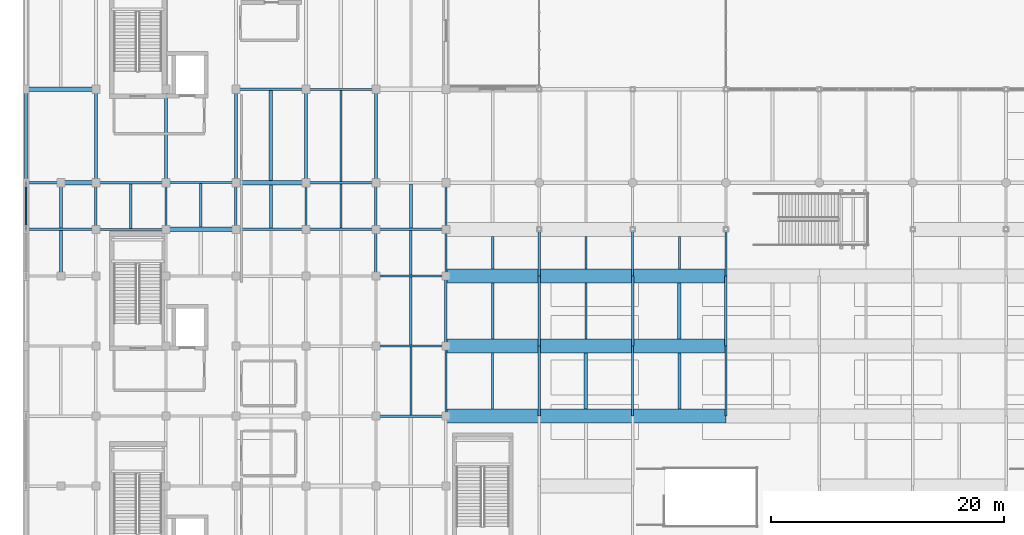
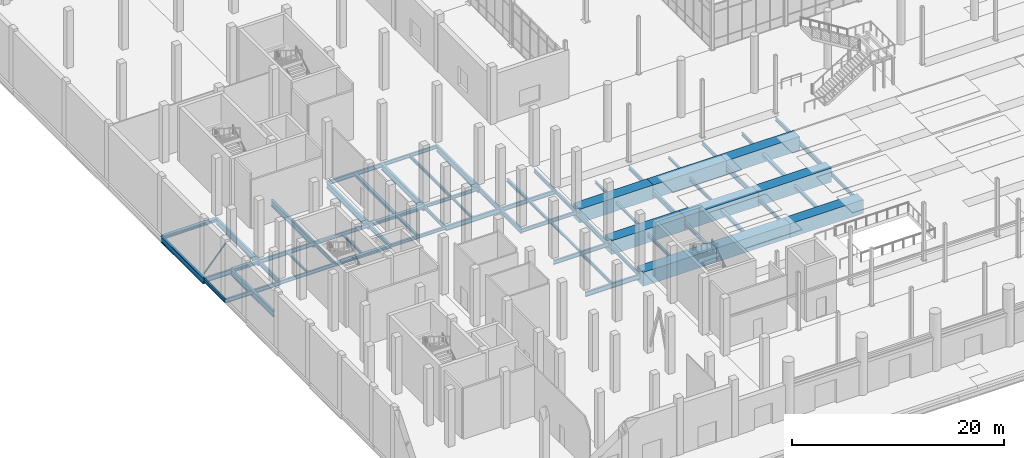
# One storey, part 23 of 140: 73 beams, 1 member.
"""IFC4 building model written with IfcOpenShell, lengths in metres."""

import ifcopenshell
import ifcopenshell.guid

model = None  # the IFC model being written
_history = None  # IfcOwnerHistory: only IFC2X3 demands one
_inside = {}  # id of a spatial element -> (the spatial element, [elements in it])
_under = {}  # id of a project, library or spatial element -> (it, [spatial elements below it])
_declared = {}  # id of a project -> (the project, [libraries it declares])
_typed = {}  # id of a type object -> (the type object, [elements of that type])
_made_of = {}  # id of a material, layer set ... -> (it, [elements and type objects made of it])


def new_model(schema):
    """Start an empty IFC model of exactly this schema.

    Asked for "IFC4X3", IfcOpenShell would pick the latest addendum, in which some entities
    have other attributes; the version numbers below select the first issue.
    IFC2X3 requires an IfcOwnerHistory on every rooted entity: one is made here for all.
    """
    global model, _history
    if schema == "IFC4X3":
        model = ifcopenshell.file(schema_version=(4, 3, 0, 0))
    else:
        model = ifcopenshell.file(schema=schema)
    _inside.clear()
    _under.clear()
    _declared.clear()
    _typed.clear()
    _made_of.clear()
    _history = None
    if model.schema == "IFC2X3":
        org = make("IfcOrganization", Name="unknown")
        user = make(
            "IfcPersonAndOrganization",
            ThePerson=make("IfcPerson", FamilyName="unknown"),
            TheOrganization=org,
        )
        app = make(
            "IfcApplication",
            ApplicationDeveloper=org,
            Version="unknown",
            ApplicationFullName="unknown",
            ApplicationIdentifier="unknown",
        )
        _history = make(
            "IfcOwnerHistory",
            OwningUser=user,
            OwningApplication=app,
            ChangeAction="ADDED",
            CreationDate=0,
        )
    return model


def make(cls, **values):
    """One entity of the class cls with the attributes given. An attribute that is None is left unset."""
    return model.create_entity(
        cls, **{name: value for name, value in values.items() if value is not None}
    )


def rooted(cls, **values):
    """An entity with a GlobalId (a new one), such as an element, a storey or a relation."""
    return make(cls, GlobalId=ifcopenshell.guid.new(), OwnerHistory=_history, **values)


def si_unit(unit_type, name, prefix=None):
    """IfcSIUnit, for example si_unit("LENGTHUNIT", "METRE", prefix="MILLI")."""
    return make("IfcSIUnit", UnitType=unit_type, Prefix=prefix, Name=name)


def assignment(units):
    """IfcUnitAssignment: the units of a project."""
    return None if units is None else make("IfcUnitAssignment", Units=units)


def point(xyz):
    """IfcCartesianPoint."""
    return None if xyz is None else make("IfcCartesianPoint", Coordinates=xyz)


def direction(xyz):
    """IfcDirection."""
    return None if xyz is None else make("IfcDirection", DirectionRatios=xyz)


def frame(location, z_axis=None, x_axis=None):
    """IfcAxis2Placement3D, a coordinate frame: its origin and axes. An axis left out is left unset."""
    return make(
        "IfcAxis2Placement3D",
        Location=point(location),
        Axis=direction(z_axis),
        RefDirection=direction(x_axis),
    )


def frame_2d(location, x_axis=None):
    """IfcAxis2Placement2D, a coordinate frame in the plane: its origin and x axis."""
    return make(
        "IfcAxis2Placement2D", Location=point(location), RefDirection=direction(x_axis)
    )


def origin():
    """The frame at (0, 0, 0) with its axes left unset."""
    return frame((0.0, 0.0, 0.0))


def origin_2d():
    """The frame at (0, 0) in the plane with its x axis left unset."""
    return frame_2d((0.0, 0.0))


def place(relative_to, where):
    """IfcLocalPlacement: puts the frame where relative to a parent placement (None: the world)."""
    return make(
        "IfcLocalPlacement", PlacementRelTo=relative_to, RelativePlacement=where
    )


def context(
    kind, dimensions, precision=None, world=None, true_north=None, identifier=None
):
    """IfcGeometricRepresentationContext, for example the 3D "Model" context."""
    return make(
        "IfcGeometricRepresentationContext",
        ContextIdentifier=identifier,
        ContextType=kind,
        CoordinateSpaceDimension=dimensions,
        Precision=precision,
        WorldCoordinateSystem=world,
        TrueNorth=true_north,
    )


def subcontext(parent, identifier, kind, view, scale=None):
    """IfcGeometricRepresentationSubContext, for example "Body" below "Model"."""
    return make(
        "IfcGeometricRepresentationSubContext",
        ContextIdentifier=identifier,
        ContextType=kind,
        ParentContext=parent,
        TargetScale=scale,
        TargetView=view,
    )


def project(units=None, contexts=None):
    """IfcProject with its units and contexts."""
    return rooted(
        "IfcProject",
        Name="project",
        RepresentationContexts=contexts,
        UnitsInContext=assignment(units),
    )


def spatial(cls, under=None, at=None, **own):
    """A site, building, storey or space (cls), placed at a placement, below another one or the project."""
    s = rooted(cls, ObjectPlacement=at, **own)
    if under is not None:
        _under.setdefault(under.id(), (under, []))[1].append(s)
    return s


def profile(cls, at=None, kind="AREA", **sizes):
    """A parametric profile (cls). Its sizes go by their IFC names, for example OverallWidth=200.0."""
    return make(cls, ProfileType=kind, Position=at, **sizes)


def rectangle(**sizes):
    """IfcRectangleProfileDef."""
    return profile("IfcRectangleProfileDef", **sizes)


def hollow_circle(**sizes):
    """IfcCircleHollowProfileDef."""
    return profile("IfcCircleHollowProfileDef", **sizes)


def i_section(**sizes):
    """IfcIShapeProfileDef."""
    return profile("IfcIShapeProfileDef", **sizes)


def extrude(swept, where, along, depth):
    """IfcExtrudedAreaSolid: the profile swept, set in the frame where, extruded along a direction by depth."""
    return make(
        "IfcExtrudedAreaSolid",
        SweptArea=swept,
        Position=where,
        ExtrudedDirection=direction(along),
        Depth=depth,
    )


def shape(context_of_items, identifier, shape_type, items):
    """IfcShapeRepresentation: the items that make up one representation, for example the "Body"."""
    return make(
        "IfcShapeRepresentation",
        ContextOfItems=context_of_items,
        RepresentationIdentifier=identifier,
        RepresentationType=shape_type,
        Items=items,
    )


def material(Name=None, Category=None):
    """IfcMaterial."""
    return make("IfcMaterial", Name=Name, Category=Category)


def material_profile(
    of_material, cross_section, Name=None, Category=None, Priority=None
):
    """IfcMaterialProfile: a cross section and its material."""
    return make(
        "IfcMaterialProfile",
        Name=Name,
        Material=of_material,
        Profile=cross_section,
        Priority=Priority,
        Category=Category,
    )


def profile_set(profiles, Name=None, composite=None):
    """IfcMaterialProfileSet."""
    return make(
        "IfcMaterialProfileSet",
        Name=Name,
        MaterialProfiles=profiles,
        CompositeProfile=composite,
    )


def made_of(thing, what):
    """Note that an element or type object is made of a material, layer set ...; save() writes the relation."""
    if what is not None:
        _made_of.setdefault(what.id(), (what, []))[1].append(thing)
    return thing


def type_object(cls, material=None, **own):
    """A type object (cls), such as IfcWallType, which elements share."""
    return made_of(rooted(cls, **own), material)


def element(
    cls,
    number,
    at=None,
    inside=None,
    cuts=None,
    type_object=None,
    material=None,
    context=None,
    identifier="Body",
    shape_type=None,
    held_by="IfcProductDefinitionShape",
    body=None,
    shapes=None,
    **own,
):
    """One element of the class cls, such as IfcWall. Its Tag is "e" and its number.

    at: its placement. inside: the storey or other place that contains it. cuts: it is an
    opening in that element (IfcRelVoidsElement). A single representation is given by context,
    identifier, shape_type and body (its items); several are given by shapes. held_by: the class
    of the entity that holds the representations. save() writes the other relations.
    """
    e = rooted(cls, Tag="e%d" % number, ObjectPlacement=at, **own)
    if body is not None:
        shapes = [shape(context, identifier, shape_type, body)]
    if shapes is not None:
        e.Representation = make(held_by, Representations=shapes)
    if inside is not None:
        _inside.setdefault(inside.id(), (inside, []))[1].append(e)
    if cuts is not None:
        rooted(
            "IfcRelVoidsElement", RelatingBuildingElement=cuts, RelatedOpeningElement=e
        )
    if type_object is not None:
        _typed.setdefault(type_object.id(), (type_object, []))[1].append(e)
    return made_of(e, material)


def aggregate(whole, parts):
    """IfcRelAggregates: a whole, such as a stair, and the parts it consists of."""
    return rooted("IfcRelAggregates", RelatingObject=whole, RelatedObjects=parts)


def save(model, path):
    """Write the relations noted so far, then the file.

    IfcRelAggregates (storeys below a building ...), IfcRelContainedInSpatialStructure (elements
    in a storey), IfcRelDefinesByType, IfcRelAssociatesMaterial and IfcRelDeclares: one each for
    every whole, place, type object, material and project.
    """
    for whole, parts in _under.values():
        aggregate(whole, parts)
    for where, things in _inside.values():
        rooted(
            "IfcRelContainedInSpatialStructure",
            RelatedElements=things,
            RelatingStructure=where,
        )
    for kind, things in _typed.values():
        rooted("IfcRelDefinesByType", RelatedObjects=things, RelatingType=kind)
    for what, things in _made_of.values():
        rooted("IfcRelAssociatesMaterial", RelatedObjects=things, RelatingMaterial=what)
    for by, libraries in _declared.values():
        rooted("IfcRelDeclares", RelatingContext=by, RelatedDefinitions=libraries)
    model.write(path)


model = new_model("IFC4")

# Units and contexts
model_context = context("Model", 3, precision=1e-05, world=origin(), true_north=direction((0.0, 1.0)))
body_context = subcontext(model_context, "Body", "Model", "MODEL_VIEW")
ifc_project = project(units=[si_unit("LENGTHUNIT", "METRE"), si_unit("AREAUNIT", "SQUARE_METRE"), si_unit("VOLUMEUNIT", "CUBIC_METRE"), si_unit("PLANEANGLEUNIT", "RADIAN"), si_unit("MASSUNIT", "GRAM", prefix="KILO")], contexts=[model_context])

# Site, building, storey
site_placement = place(None, origin())
site = spatial("IfcSite", under=ifc_project, at=site_placement, CompositionType="ELEMENT")
building_placement = place(site_placement, origin())
building = spatial("IfcBuilding", under=site, at=building_placement, Name="Verrall Gate Interchange", CompositionType="ELEMENT")
storey_placement = place(building_placement, origin())
storey = spatial("IfcBuildingStorey", under=building, at=storey_placement, Name="L01", CompositionType="ELEMENT", Elevation=0.0)

# Beams
ifc_material_1 = material(Name="Structural Steel CSA G40.21 350WT Cat 4", Category="steel")
ifc_material_profile_1 = material_profile(ifc_material_1, i_section(OverallWidth=0.256103515625, OverallDepth=0.693115234375, WebThickness=0.01318359375, FlangeThickness=0.02001953125, FilletRadius=0.01611328125, at=origin_2d()), Name="W690x170")
ifc_profile_set_1 = profile_set([ifc_material_profile_1], Name="Structural Steel CSA G40.21 350WT Cat 4")
beam_type_1 = type_object("IfcBeamType", Name="B-07 Structural Beam W690x170", PredefinedType="BEAM", material=ifc_profile_set_1)
for number, where, z_axis, x_axis, name in (
    (1, (0.0, 48.0, -0.846435546875), (0.0, 1.0, 0.0), (-1.0, 0.0, 0.0), "L01 Girder BM-L01-0990 (B-07)"),
    (2, (3.0, 40.0, -0.846435546875), (0.0, 1.0, 0.0), (-1.0, 0.0, 0.0), "L01 Girder BM-L01-0995 (B-07)"),
    (3, (6.0, 48.0, -0.846435546875), (0.0, 1.0, 0.0), (-1.0, 0.0, 0.0), "L01 Girder BM-L01-1006 (B-07)"),
    (4, (12.0, 48.0, -0.846435546875), (0.0, 1.0, 0.0), (-1.0, 0.0, 0.0), "L01 Girder BM-L01-1021 (B-07)"),
    (5, (18.0, 48.0, -0.846435546875), (0.0, 1.0, 0.0), (-1.0, 0.0, 0.0), "L01 Girder BM-L01-1036 (B-07)"),
    (6, (24.0, 48.0, -0.846435546875), (0.0, 1.0, 0.0), (-1.0, 0.0, 0.0), "L01 Girder BM-L01-1051 (B-07)"),
    (7, (30.0, 48.0, -0.846435546875), (0.0, 1.0, 0.0), (-1.0, 0.0, 0.0), "L01 Girder BM-L01-1066 (B-07)"),
):
    element("IfcBeam", number, at=place(storey_placement, frame(where, z_axis=z_axis, x_axis=x_axis)), inside=storey, type_object=beam_type_1, Name=name, PredefinedType="BEAM", context=body_context, shape_type="SweptSolid", body=[
        extrude(i_section(OverallWidth=0.256103515625, OverallDepth=0.693115234375, WebThickness=0.01318359375, FlangeThickness=0.02001953125, FilletRadius=0.01611328125, at=origin_2d()), origin(), (0.0, 0.0, 1.0), 8.0),
    ])
ifc_material_2 = material(Name="Structural Steel CSA G40.21 350W", Category="steel")
ifc_material_profile_2 = material_profile(ifc_material_2, i_section(OverallWidth=0.2109375, OverallDepth=0.5390625, WebThickness=0.01171875, FlangeThickness=0.018798828125, FilletRadius=0.013916015625, at=origin_2d()), Name="W530x109")
ifc_profile_set_2 = profile_set([ifc_material_profile_2], Name="Structural Steel CSA G40.21 350W")
beam_type_2 = type_object("IfcBeamType", Name="B-10 Structural Beam W530x109", PredefinedType="BEAM", material=ifc_profile_set_2)
for number, where, z_axis, x_axis, name in (
    (8, (30.0, 28.0, -0.76953125), (1.0, 0.0, 0.0), (0.0, 1.0, 0.0), "L01 Girder BM-L01-0830 (B-10)"),
    (9, (24.0, 44.0, -0.76953125), (1.0, 0.0, 0.0), (0.0, 1.0, 0.0), "L01 Girder BM-L01-0893 (B-10)"),
):
    element("IfcBeam", number, at=place(storey_placement, frame(where, z_axis=z_axis, x_axis=x_axis)), inside=storey, type_object=beam_type_2, Name=name, PredefinedType="BEAM", context=body_context, shape_type="SweptSolid", body=[
        extrude(i_section(OverallWidth=0.2109375, OverallDepth=0.5390625, WebThickness=0.01171875, FlangeThickness=0.018798828125, FilletRadius=0.013916015625, at=origin_2d()), origin(), (0.0, 0.0, 1.0), 6.0),
    ])
beam_1_placement = place(storey_placement, frame((0.0, 48.0, -0.76953125), z_axis=(1.0, 0.0, 0.0), x_axis=(0.0, 1.0, 0.0)))
element("IfcBeam", 10, at=beam_1_placement, inside=storey, type_object=beam_type_2, Name="L01 Girder BM-L01-0910 (B-10)", PredefinedType="BEAM", context=body_context, shape_type="SweptSolid", body=[
    extrude(i_section(OverallWidth=0.2109375, OverallDepth=0.5390625, WebThickness=0.01171875, FlangeThickness=0.018798828125, FilletRadius=0.013916015625, at=origin_2d()), origin(), (0.0, 0.0, 1.0), 3.0),
])
for number, where, z_axis, x_axis, name in (
    (11, (6.0, 44.0, -0.76953125), (0.0, 1.0, 0.0), (-1.0, 0.0, 0.0), "L01 Girder BM-L01-1005 (B-10)"),
    (12, (18.0, 44.0, -0.76953125), (0.0, 1.0, 0.0), (-1.0, 0.0, 0.0), "L01 Girder BM-L01-1035 (B-10)"),
    (13, (30.0, 40.0, -0.76953125), (0.0, 1.0, 0.0), (-1.0, 0.0, 0.0), "L01 Girder BM-L01-1064 (B-10)"),
    (14, (30.0, 44.0, -0.76953125), (0.0, 1.0, 0.0), (-1.0, 0.0, 0.0), "L01 Girder BM-L01-1065 (B-10)"),
):
    element("IfcBeam", number, at=place(storey_placement, frame(where, z_axis=z_axis, x_axis=x_axis)), inside=storey, type_object=beam_type_2, Name=name, PredefinedType="BEAM", context=body_context, shape_type="SweptSolid", body=[
        extrude(i_section(OverallWidth=0.2109375, OverallDepth=0.5390625, WebThickness=0.01171875, FlangeThickness=0.018798828125, FilletRadius=0.013916015625, at=origin_2d()), origin(), (0.0, 0.0, 1.0), 4.0),
    ])
for number, where, z_axis, x_axis, name in (
    (15, (36.0, 34.0, -0.76953125), (0.0, 1.0, 0.0), (-1.0, 0.0, 0.0), "L01 Girder BM-L01-1078 (B-10)"),
    (16, (44.0, 34.0, -0.76953125), (0.0, 1.0, 0.0), (-1.0, 0.0, 0.0), "L01 Girder BM-L01-1093 (B-10)"),
    (17, (52.0, 34.0, -0.76953125), (0.0, 1.0, 0.0), (-1.0, 0.0, 0.0), "L01 Girder BM-L01-1104 (B-10)"),
    (18, (60.0, 34.0, -0.76953125), (0.0, 1.0, 0.0), (-1.0, 0.0, 0.0), "L01 Girder BM-L01-1113 (B-10)"),
):
    element("IfcBeam", number, at=place(storey_placement, frame(where, z_axis=z_axis, x_axis=x_axis)), inside=storey, type_object=beam_type_2, Name=name, PredefinedType="BEAM", context=body_context, shape_type="SweptSolid", body=[
        extrude(i_section(OverallWidth=0.2109375, OverallDepth=0.5390625, WebThickness=0.01171875, FlangeThickness=0.018798828125, FilletRadius=0.013916015625, at=origin_2d()), origin(), (0.0, 0.0, 1.0), 6.0),
    ])
ifc_material_3 = material(Name="Structural Steel CSA G40.21 350W", Category="steel")
ifc_material_profile_3 = material_profile(ifc_material_3, i_section(OverallWidth=0.19189453125, OverallDepth=0.462890625, WebThickness=0.010498046875, FlangeThickness=0.017578125, FilletRadius=0.012939453125, at=origin_2d()), Name="W460x89")
ifc_profile_set_3 = profile_set([ifc_material_profile_3], Name="Structural Steel CSA G40.21 350W")
beam_type_3 = type_object("IfcBeamType", Name="B-11 Structural Beam W460x89", PredefinedType="BEAM", material=ifc_profile_set_3)
for number, where, z_axis, x_axis, name in (
    (19, (30.0, 34.0, -0.7314453125), (1.0, 0.0, 0.0), (0.0, 1.0, 0.0), "L01 Girder BM-L01-0850 (B-11)"),
    (20, (0.0, 44.0, -0.7314453125), (1.0, 0.0, 0.0), (0.0, 1.0, 0.0), "L01 Girder BM-L01-0889 (B-11)"),
    (21, (30.0, 44.0, -0.7314453125), (1.0, 0.0, 0.0), (0.0, 1.0, 0.0), "L01 Girder BM-L01-0894 (B-11)"),
    (22, (6.0, 48.0, -0.7314453125), (1.0, 0.0, 0.0), (0.0, 1.0, 0.0), "L01 Girder BM-L01-0912 (B-11)"),
    (23, (18.0, 56.0, -0.7314453125), (1.0, 0.0, 0.0), (0.0, 1.0, 0.0), "L01 Girder BM-L01-0936 (B-11)"),
):
    element("IfcBeam", number, at=place(storey_placement, frame(where, z_axis=z_axis, x_axis=x_axis)), inside=storey, type_object=beam_type_3, Name=name, PredefinedType="BEAM", context=body_context, shape_type="SweptSolid", body=[
        extrude(i_section(OverallWidth=0.19189453125, OverallDepth=0.462890625, WebThickness=0.010498046875, FlangeThickness=0.017578125, FilletRadius=0.012939453125, at=origin_2d()), origin(), (0.0, 0.0, 1.0), 6.0),
    ])
ifc_material_4 = material(Name="Structural Steel CSA G40.21 350W", Category="steel")
ifc_material_profile_4 = material_profile(ifc_material_4, i_section(OverallWidth=0.178955078125, OverallDepth=0.409912109375, WebThickness=0.0087890625, FlangeThickness=0.014404296875, FilletRadius=0.011962890625, at=origin_2d()), Name="W410x67")
ifc_profile_set_4 = profile_set([ifc_material_profile_4], Name="Structural Steel CSA G40.21 350W")
beam_type_4 = type_object("IfcBeamType", Name="B-12 Structural Beam W410x67", PredefinedType="BEAM", material=ifc_profile_set_4)
for number, where, z_axis, x_axis, name in (
    (24, (30.0, 40.0, -0.705078125), (1.0, 0.0, 0.0), (0.0, 1.0, 0.0), "L01 Girder BM-L01-0872 (B-12)"),
    (25, (6.0, 44.0, -0.705078125), (1.0, 0.0, 0.0), (0.0, 1.0, 0.0), "L01 Girder BM-L01-0890 (B-12)"),
    (26, (12.0, 48.0, -0.705078125), (1.0, 0.0, 0.0), (0.0, 1.0, 0.0), "L01 Girder BM-L01-0913 (B-12)"),
    (27, (24.0, 56.0, -0.705078125), (1.0, 0.0, 0.0), (0.0, 1.0, 0.0), "L01 Girder BM-L01-0937 (B-12)"),
):
    element("IfcBeam", number, at=place(storey_placement, frame(where, z_axis=z_axis, x_axis=x_axis)), inside=storey, type_object=beam_type_4, Name=name, PredefinedType="BEAM", context=body_context, shape_type="SweptSolid", body=[
        extrude(i_section(OverallWidth=0.178955078125, OverallDepth=0.409912109375, WebThickness=0.0087890625, FlangeThickness=0.014404296875, FilletRadius=0.011962890625, at=origin_2d()), origin(), (0.0, 0.0, 1.0), 6.0),
    ])
for number, where, z_axis, x_axis, name in (
    (28, (0.0, 44.0, -0.705078125), (0.0, 1.0, 0.0), (-1.0, 0.0, 0.0), "L01 Girder BM-L01-0989 (B-12)"),
    (29, (12.0, 44.0, -0.705078125), (0.0, 1.0, 0.0), (-1.0, 0.0, 0.0), "L01 Girder BM-L01-1020 (B-12)"),
    (30, (24.0, 44.0, -0.705078125), (0.0, 1.0, 0.0), (-1.0, 0.0, 0.0), "L01 Girder BM-L01-1050 (B-12)"),
):
    element("IfcBeam", number, at=place(storey_placement, frame(where, z_axis=z_axis, x_axis=x_axis)), inside=storey, type_object=beam_type_4, Name=name, PredefinedType="BEAM", context=body_context, shape_type="SweptSolid", body=[
        extrude(i_section(OverallWidth=0.178955078125, OverallDepth=0.409912109375, WebThickness=0.0087890625, FlangeThickness=0.014404296875, FilletRadius=0.011962890625, at=origin_2d()), origin(), (0.0, 0.0, 1.0), 4.0),
    ])
beam_2_placement = place(storey_placement, frame((36.0, 28.0, -0.705078125), z_axis=(0.0, 1.0, 0.0), x_axis=(-1.0, 0.0, 0.0)))
element("IfcBeam", 31, at=beam_2_placement, inside=storey, type_object=beam_type_4, Name="L01 Girder BM-L01-1077 (B-12)", PredefinedType="BEAM", context=body_context, shape_type="SweptSolid", body=[
    extrude(i_section(OverallWidth=0.178955078125, OverallDepth=0.409912109375, WebThickness=0.0087890625, FlangeThickness=0.014404296875, FilletRadius=0.011962890625, at=origin_2d()), origin(), (0.0, 0.0, 1.0), 6.0),
])
for number, where, z_axis, x_axis, name in (
    (32, (36.0, 40.0, -0.705078125), (0.0, 1.0, 0.0), (-1.0, 0.0, 0.0), "L01 Girder BM-L01-1079 (B-12)"),
    (33, (36.0, 44.0, -0.705078125), (0.0, 1.0, 0.0), (-1.0, 0.0, 0.0), "L01 Girder BM-L01-1080 (B-12)"),
):
    element("IfcBeam", number, at=place(storey_placement, frame(where, z_axis=z_axis, x_axis=x_axis)), inside=storey, type_object=beam_type_4, Name=name, PredefinedType="BEAM", context=body_context, shape_type="SweptSolid", body=[
        extrude(i_section(OverallWidth=0.178955078125, OverallDepth=0.409912109375, WebThickness=0.0087890625, FlangeThickness=0.014404296875, FilletRadius=0.011962890625, at=origin_2d()), origin(), (0.0, 0.0, 1.0), 4.0),
    ])
beam_3_placement = place(storey_placement, frame((44.0, 28.0, -0.705078125), z_axis=(0.0, 1.0, 0.0), x_axis=(-1.0, 0.0, 0.0)))
element("IfcBeam", 34, at=beam_3_placement, inside=storey, type_object=beam_type_4, Name="L01 Girder BM-L01-1092 (B-12)", PredefinedType="BEAM", context=body_context, shape_type="SweptSolid", body=[
    extrude(i_section(OverallWidth=0.178955078125, OverallDepth=0.409912109375, WebThickness=0.0087890625, FlangeThickness=0.014404296875, FilletRadius=0.011962890625, at=origin_2d()), origin(), (0.0, 0.0, 1.0), 6.0),
])
beam_4_placement = place(storey_placement, frame((44.0, 40.0, -0.705078125), z_axis=(0.0, 1.0, 0.0), x_axis=(-1.0, 0.0, 0.0)))
element("IfcBeam", 35, at=beam_4_placement, inside=storey, type_object=beam_type_4, Name="L01 Girder BM-L01-1094 (B-12)", PredefinedType="BEAM", context=body_context, shape_type="SweptSolid", body=[
    extrude(i_section(OverallWidth=0.178955078125, OverallDepth=0.409912109375, WebThickness=0.0087890625, FlangeThickness=0.014404296875, FilletRadius=0.011962890625, at=origin_2d()), origin(), (0.0, 0.0, 1.0), 4.0),
])
beam_5_placement = place(storey_placement, frame((52.0, 28.0, -0.705078125), z_axis=(0.0, 1.0, 0.0), x_axis=(-1.0, 0.0, 0.0)))
element("IfcBeam", 36, at=beam_5_placement, inside=storey, type_object=beam_type_4, Name="L01 Girder BM-L01-1103 (B-12)", PredefinedType="BEAM", context=body_context, shape_type="SweptSolid", body=[
    extrude(i_section(OverallWidth=0.178955078125, OverallDepth=0.409912109375, WebThickness=0.0087890625, FlangeThickness=0.014404296875, FilletRadius=0.011962890625, at=origin_2d()), origin(), (0.0, 0.0, 1.0), 6.0),
])
beam_6_placement = place(storey_placement, frame((52.0, 40.0, -0.705078125), z_axis=(0.0, 1.0, 0.0), x_axis=(-1.0, 0.0, 0.0)))
element("IfcBeam", 37, at=beam_6_placement, inside=storey, type_object=beam_type_4, Name="L01 Girder BM-L01-1105 (B-12)", PredefinedType="BEAM", context=body_context, shape_type="SweptSolid", body=[
    extrude(i_section(OverallWidth=0.178955078125, OverallDepth=0.409912109375, WebThickness=0.0087890625, FlangeThickness=0.014404296875, FilletRadius=0.011962890625, at=origin_2d()), origin(), (0.0, 0.0, 1.0), 4.0),
])
beam_7_placement = place(storey_placement, frame((60.0, 28.0, -0.705078125), z_axis=(0.0, 1.0, 0.0), x_axis=(-1.0, 0.0, 0.0)))
element("IfcBeam", 38, at=beam_7_placement, inside=storey, type_object=beam_type_4, Name="L01 Girder BM-L01-1112 (B-12)", PredefinedType="BEAM", context=body_context, shape_type="SweptSolid", body=[
    extrude(i_section(OverallWidth=0.178955078125, OverallDepth=0.409912109375, WebThickness=0.0087890625, FlangeThickness=0.014404296875, FilletRadius=0.011962890625, at=origin_2d()), origin(), (0.0, 0.0, 1.0), 6.0),
])
beam_8_placement = place(storey_placement, frame((60.0, 40.0, -0.705078125), z_axis=(0.0, 1.0, 0.0), x_axis=(-1.0, 0.0, 0.0)))
element("IfcBeam", 39, at=beam_8_placement, inside=storey, type_object=beam_type_4, Name="L01 Girder BM-L01-1114 (B-12)", PredefinedType="BEAM", context=body_context, shape_type="SweptSolid", body=[
    extrude(i_section(OverallWidth=0.178955078125, OverallDepth=0.409912109375, WebThickness=0.0087890625, FlangeThickness=0.014404296875, FilletRadius=0.011962890625, at=origin_2d()), origin(), (0.0, 0.0, 1.0), 4.0),
])
ifc_material_5 = material(Name="Structural Steel CSA G40.21 350W", Category="steel")
ifc_material_profile_5 = material_profile(ifc_material_5, i_section(OverallWidth=0.368896484375, OverallDepth=0.35595703125, WebThickness=0.01123046875, FlangeThickness=0.01806640625, FilletRadius=0.014892578125, at=origin_2d()), Name="W360x134")
ifc_profile_set_5 = profile_set([ifc_material_profile_5], Name="Structural Steel CSA G40.21 350W")
beam_type_5 = type_object("IfcBeamType", Name="B-13 Structural Beam W360x134", PredefinedType="BEAM", material=ifc_profile_set_5)
beam_9_placement = place(storey_placement, frame((12.0, 44.0, -0.677978515625), z_axis=(1.0, 0.0, 0.0), x_axis=(0.0, 1.0, 0.0)))
element("IfcBeam", 40, at=beam_9_placement, inside=storey, type_object=beam_type_5, Name="L01 Girder BM-L01-0891 (B-13)", PredefinedType="BEAM", context=body_context, shape_type="SweptSolid", body=[
    extrude(i_section(OverallWidth=0.368896484375, OverallDepth=0.35595703125, WebThickness=0.01123046875, FlangeThickness=0.01806640625, FilletRadius=0.014892578125, at=origin_2d()), origin(), (0.0, 0.0, 1.0), 6.0),
])
beam_10_placement = place(storey_placement, frame((3.0, 48.0, -0.677978515625), z_axis=(1.0, 0.0, 0.0), x_axis=(0.0, 1.0, 0.0)))
element("IfcBeam", 41, at=beam_10_placement, inside=storey, type_object=beam_type_5, Name="L01 Girder BM-L01-0911 (B-13)", PredefinedType="BEAM", context=body_context, shape_type="SweptSolid", body=[
    extrude(i_section(OverallWidth=0.368896484375, OverallDepth=0.35595703125, WebThickness=0.01123046875, FlangeThickness=0.01806640625, FilletRadius=0.014892578125, at=origin_2d()), origin(), (0.0, 0.0, 1.0), 3.0),
])
for number, where, z_axis, x_axis, name in (
    (42, (18.0, 48.0, -0.677978515625), (1.0, 0.0, 0.0), (0.0, 1.0, 0.0), "L01 Girder BM-L01-0914 (B-13)"),
    (43, (0.0, 56.0, -0.677978515625), (1.0, 0.0, 0.0), (0.0, 1.0, 0.0), "L01 Girder BM-L01-0935 (B-13)"),
):
    element("IfcBeam", number, at=place(storey_placement, frame(where, z_axis=z_axis, x_axis=x_axis)), inside=storey, type_object=beam_type_5, Name=name, PredefinedType="BEAM", context=body_context, shape_type="SweptSolid", body=[
        extrude(i_section(OverallWidth=0.368896484375, OverallDepth=0.35595703125, WebThickness=0.01123046875, FlangeThickness=0.01806640625, FilletRadius=0.014892578125, at=origin_2d()), origin(), (0.0, 0.0, 1.0), 6.0),
    ])
ifc_material_6 = material(Name="Structural Steel CSA G40.21 350W", Category="steel")
ifc_material_profile_6 = material_profile(ifc_material_6, i_section(OverallWidth=0.205078125, OverallDepth=0.35400390625, WebThickness=0.009521484375, FlangeThickness=0.016845703125, FilletRadius=0.012939453125, at=origin_2d()), Name="W360x79")
ifc_profile_set_6 = profile_set([ifc_material_profile_6], Name="Structural Steel CSA G40.21 350W")
beam_type_6 = type_object("IfcBeamType", Name="B-14 Structural Beam W360x79", PredefinedType="BEAM", material=ifc_profile_set_6)
for number, where, z_axis, x_axis, name in (
    (44, (18.0, 44.0, -0.677001953125), (1.0, 0.0, 0.0), (0.0, 1.0, 0.0), "L01 Girder BM-L01-0892 (B-14)"),
    (45, (24.0, 48.0, -0.677001953125), (1.0, 0.0, 0.0), (0.0, 1.0, 0.0), "L01 Girder BM-L01-0915 (B-14)"),
):
    element("IfcBeam", number, at=place(storey_placement, frame(where, z_axis=z_axis, x_axis=x_axis)), inside=storey, type_object=beam_type_6, Name=name, PredefinedType="BEAM", context=body_context, shape_type="SweptSolid", body=[
        extrude(i_section(OverallWidth=0.205078125, OverallDepth=0.35400390625, WebThickness=0.009521484375, FlangeThickness=0.016845703125, FilletRadius=0.012939453125, at=origin_2d()), origin(), (0.0, 0.0, 1.0), 6.0),
    ])

# Member
ifc_material_7 = material(Name="Structural Steel CSA G40.21 350W", Category="steel")
ifc_material_profile_7 = material_profile(ifc_material_7, hollow_circle(Radius=0.084228515625, WallThickness=0.00634765625, at=origin_2d()), Name="HSS168x6.4")
ifc_profile_set_7 = profile_set([ifc_material_profile_7], Name="Structural Steel CSA G40.21 350W")
member_type = type_object("IfcMemberType", Name="BR-03 Diagonal Brace HSS168x6.4", PredefinedType="BRACE", material=ifc_profile_set_7)
member_placement = place(storey_placement, frame((0.0, 48.0, 0.0), z_axis=(0.0, -0.56311071105, 0.82638146585), x_axis=(1.0, 0.0, 0.0)))
element("IfcMember", 46, at=member_placement, inside=storey, type_object=member_type, Name="Chevron Brace CBF3 L01 Leg B", PredefinedType="BRACE", context=body_context, shape_type="SweptSolid", body=[
    extrude(hollow_circle(Radius=0.084228515625, WallThickness=0.00634765625, at=origin_2d()), origin(), (0.0, 0.0, 1.0), 7.103515625),
])

# Beams
ifc_material_8 = material(Name="Structural Steel CSA G40.21 350W", Category="steel")
ifc_material_profile_8 = material_profile(ifc_material_8, i_section(OverallWidth=0.172119140625, OverallDepth=0.35791015625, WebThickness=0.0078125, FlangeThickness=0.01318359375, FilletRadius=0.010986328125, at=origin_2d()), Name="W360x57")
ifc_profile_set_8 = profile_set([ifc_material_profile_8], Name="Structural Steel CSA G40.21 350W")
beam_type_7 = type_object("IfcBeamType", Name="J-01 Floor Joist W360x57", PredefinedType="JOIST", material=ifc_profile_set_8)
beam_11_placement = place(storey_placement, frame((33.0, 28.10546875, -0.678955078125), z_axis=(0.0, 1.0, 0.0), x_axis=(-1.0, 0.0, 0.0)))
element("IfcBeam", 47, at=beam_11_placement, inside=storey, type_object=beam_type_7, Name="L01 Secondary Floor Joist JST-L01-1329", PredefinedType="JOIST", context=body_context, shape_type="SweptSolid", body=[
    extrude(i_section(OverallWidth=0.172119140625, OverallDepth=0.35791015625, WebThickness=0.0078125, FlangeThickness=0.01318359375, FilletRadius=0.010986328125, at=origin_2d()), origin(), (0.0, 0.0, 1.0), 5.798583984375),
])
for number, where, z_axis, x_axis, name in (
    (48, (40.0, 28.60009765625, -0.678955078125), (0.0, 1.0, 0.0), (-1.0, 0.0, 0.0), "L01 Secondary Floor Joist JST-L01-1330"),
    (49, (48.0, 34.60009765625, -0.678955078125), (0.0, 1.0, 0.0), (-1.0, 0.0, 0.0), "L01 Secondary Floor Joist JST-L01-1348"),
):
    element("IfcBeam", number, at=place(storey_placement, frame(where, z_axis=z_axis, x_axis=x_axis)), inside=storey, type_object=beam_type_7, Name=name, PredefinedType="JOIST", context=body_context, shape_type="SweptSolid", body=[
        extrude(i_section(OverallWidth=0.172119140625, OverallDepth=0.35791015625, WebThickness=0.0078125, FlangeThickness=0.01318359375, FilletRadius=0.010986328125, at=origin_2d()), origin(), (0.0, 0.0, 1.0), 4.7998046875),
    ])
beam_12_placement = place(storey_placement, frame((56.0, 40.60009765625, -0.678955078125), z_axis=(0.0, 1.0, 0.0), x_axis=(-1.0, 0.0, 0.0)))
element("IfcBeam", 50, at=beam_12_placement, inside=storey, type_object=beam_type_7, Name="L01 Secondary Floor Joist JST-L01-1368", PredefinedType="JOIST", context=body_context, shape_type="SweptSolid", body=[
    extrude(i_section(OverallWidth=0.172119140625, OverallDepth=0.35791015625, WebThickness=0.0078125, FlangeThickness=0.01318359375, FilletRadius=0.010986328125, at=origin_2d()), origin(), (0.0, 0.0, 1.0), 2.7998046875),
])
beam_13_placement = place(storey_placement, frame((27.0, 48.1025390625, -0.678955078125), z_axis=(0.0, 1.0, 0.0), x_axis=(-1.0, 0.0, 0.0)))
element("IfcBeam", 51, at=beam_13_placement, inside=storey, type_object=beam_type_7, Name="L01 Secondary Floor Joist JST-L01-1401", PredefinedType="JOIST", context=body_context, shape_type="SweptSolid", body=[
    extrude(i_section(OverallWidth=0.172119140625, OverallDepth=0.35791015625, WebThickness=0.0078125, FlangeThickness=0.01318359375, FilletRadius=0.010986328125, at=origin_2d()), origin(), (0.0, 0.0, 1.0), 7.807861328125),
])
ifc_material_9 = material(Name="Structural Steel CSA G40.21 350W", Category="steel")
ifc_material_profile_9 = material_profile(ifc_material_9, i_section(OverallWidth=0.306884765625, OverallDepth=0.31396484375, WebThickness=0.011962890625, FlangeThickness=0.018798828125, FilletRadius=0.013916015625, at=origin_2d()), Name="W310x118")
ifc_profile_set_9 = profile_set([ifc_material_profile_9], Name="Structural Steel CSA G40.21 350W")
beam_type_8 = type_object("IfcBeamType", Name="J-02 Floor Joist W310x118", PredefinedType="JOIST", material=ifc_profile_set_9)
for number, where, z_axis, x_axis, name in (
    (52, (48.0, 28.60009765625, -0.656982421875), (0.0, 1.0, 0.0), (-1.0, 0.0, 0.0), "L01 Secondary Floor Joist JST-L01-1331"),
    (53, (56.0, 34.60009765625, -0.656982421875), (0.0, 1.0, 0.0), (-1.0, 0.0, 0.0), "L01 Secondary Floor Joist JST-L01-1349"),
):
    element("IfcBeam", number, at=place(storey_placement, frame(where, z_axis=z_axis, x_axis=x_axis)), inside=storey, type_object=beam_type_8, Name=name, PredefinedType="JOIST", context=body_context, shape_type="SweptSolid", body=[
        extrude(i_section(OverallWidth=0.306884765625, OverallDepth=0.31396484375, WebThickness=0.011962890625, FlangeThickness=0.018798828125, FilletRadius=0.013916015625, at=origin_2d()), origin(), (0.0, 0.0, 1.0), 4.7998046875),
    ])
beam_14_placement = place(storey_placement, frame((21.0, 48.1845703125, -0.656982421875), z_axis=(0.0, 1.0, 0.0), x_axis=(-1.0, 0.0, 0.0)))
element("IfcBeam", 54, at=beam_14_placement, inside=storey, type_object=beam_type_8, Name="L01 Secondary Floor Joist JST-L01-1400", PredefinedType="JOIST", context=body_context, shape_type="SweptSolid", body=[
    extrude(i_section(OverallWidth=0.306884765625, OverallDepth=0.31396484375, WebThickness=0.011962890625, FlangeThickness=0.018798828125, FilletRadius=0.013916015625, at=origin_2d()), origin(), (0.0, 0.0, 1.0), 7.719482421875),
])
ifc_material_10 = material(Name="Structural Steel CSA G40.21 350W", Category="steel")
ifc_material_profile_10 = material_profile(ifc_material_10, i_section(OverallWidth=0.25390625, OverallDepth=0.305908203125, WebThickness=0.0087890625, FlangeThickness=0.0146484375, FilletRadius=0.012939453125, at=origin_2d()), Name="W310x79")
ifc_profile_set_10 = profile_set([ifc_material_profile_10], Name="Structural Steel CSA G40.21 350W")
beam_type_9 = type_object("IfcBeamType", Name="J-03 Floor Joist W310x79", PredefinedType="JOIST", material=ifc_profile_set_10)
beam_15_placement = place(storey_placement, frame((56.0, 28.60009765625, -0.653076171875), z_axis=(0.0, 1.0, 0.0), x_axis=(-1.0, 0.0, 0.0)))
element("IfcBeam", 55, at=beam_15_placement, inside=storey, type_object=beam_type_9, Name="L01 Secondary Floor Joist JST-L01-1332", PredefinedType="JOIST", context=body_context, shape_type="SweptSolid", body=[
    extrude(i_section(OverallWidth=0.25390625, OverallDepth=0.305908203125, WebThickness=0.0087890625, FlangeThickness=0.0146484375, FilletRadius=0.012939453125, at=origin_2d()), origin(), (0.0, 0.0, 1.0), 4.7998046875),
])
beam_16_placement = place(storey_placement, frame((33.0, 44.095947265625, -0.653076171875), z_axis=(0.0, 1.0, 0.0), x_axis=(-1.0, 0.0, 0.0)))
element("IfcBeam", 56, at=beam_16_placement, inside=storey, type_object=beam_type_9, Name="L01 Secondary Floor Joist JST-L01-1384", PredefinedType="JOIST", context=body_context, shape_type="SweptSolid", body=[
    extrude(i_section(OverallWidth=0.25390625, OverallDepth=0.305908203125, WebThickness=0.0087890625, FlangeThickness=0.0146484375, FilletRadius=0.012939453125, at=origin_2d()), origin(), (0.0, 0.0, 1.0), 3.798583984375),
])
ifc_material_11 = material(Name="Structural Steel CSA G40.21 350W", Category="steel")
ifc_material_profile_11 = material_profile(ifc_material_11, i_section(OverallWidth=0.1650390625, OverallDepth=0.31005859375, WebThickness=0.005859375, FlangeThickness=0.009765625, FilletRadius=0.010009765625, at=origin_2d()), Name="W310x39")
ifc_profile_set_11 = profile_set([ifc_material_profile_11], Name="Structural Steel CSA G40.21 350W")
beam_type_10 = type_object("IfcBeamType", Name="J-04 Floor Joist W310x39", PredefinedType="JOIST", material=ifc_profile_set_11)
beam_17_placement = place(storey_placement, frame((27.0, 44.10546875, -0.655029296875), z_axis=(0.0, 1.0, 0.0), x_axis=(-1.0, 0.0, 0.0)))
element("IfcBeam", 57, at=beam_17_placement, inside=storey, type_object=beam_type_10, Name="L01 Secondary Floor Joist JST-L01-1383", PredefinedType="JOIST", context=body_context, shape_type="SweptSolid", body=[
    extrude(i_section(OverallWidth=0.1650390625, OverallDepth=0.31005859375, WebThickness=0.005859375, FlangeThickness=0.009765625, FilletRadius=0.010009765625, at=origin_2d()), origin(), (0.0, 0.0, 1.0), 3.7919921875),
])
ifc_material_12 = material(Name="Structural Steel CSA G40.21 350W", Category="steel")
ifc_material_profile_12 = material_profile(ifc_material_12, i_section(OverallWidth=0.25390625, OverallDepth=0.2529296875, WebThickness=0.008544921875, FlangeThickness=0.01416015625, FilletRadius=0.011962890625, at=origin_2d()), Name="W250x73")
ifc_profile_set_12 = profile_set([ifc_material_profile_12], Name="Structural Steel CSA G40.21 350W")
beam_type_11 = type_object("IfcBeamType", Name="J-05 Floor Joist W250x73", PredefinedType="JOIST", material=ifc_profile_set_12)
beam_18_placement = place(storey_placement, frame((21.0, 44.1025390625, -0.62646484375), z_axis=(0.0, 1.0, 0.0), x_axis=(-1.0, 0.0, 0.0)))
element("IfcBeam", 58, at=beam_18_placement, inside=storey, type_object=beam_type_11, Name="L01 Secondary Floor Joist JST-L01-1382", PredefinedType="JOIST", context=body_context, shape_type="SweptSolid", body=[
    extrude(i_section(OverallWidth=0.25390625, OverallDepth=0.2529296875, WebThickness=0.008544921875, FlangeThickness=0.01416015625, FilletRadius=0.011962890625, at=origin_2d()), origin(), (0.0, 0.0, 1.0), 3.712890625),
])
ifc_material_13 = material(Name="Structural Steel CSA G40.21 350W", Category="steel")
ifc_material_profile_13 = material_profile(ifc_material_13, i_section(OverallWidth=0.201904296875, OverallDepth=0.2470703125, WebThickness=0.00732421875, FlangeThickness=0.010986328125, FilletRadius=0.010986328125, at=origin_2d()), Name="W250x49")
ifc_profile_set_13 = profile_set([ifc_material_profile_13], Name="Structural Steel CSA G40.21 350W")
beam_type_12 = type_object("IfcBeamType", Name="J-06 Floor Joist W250x49", PredefinedType="JOIST", material=ifc_profile_set_13)
beam_19_placement = place(storey_placement, frame((33.0, 40.089599609375, -0.62353515625), z_axis=(0.0, 1.0, 0.0), x_axis=(-1.0, 0.0, 0.0)))
element("IfcBeam", 59, at=beam_19_placement, inside=storey, type_object=beam_type_12, Name="L01 Secondary Floor Joist JST-L01-1365", PredefinedType="JOIST", context=body_context, shape_type="SweptSolid", body=[
    extrude(i_section(OverallWidth=0.201904296875, OverallDepth=0.2470703125, WebThickness=0.00732421875, FlangeThickness=0.010986328125, FilletRadius=0.010986328125, at=origin_2d()), origin(), (0.0, 0.0, 1.0), 3.814453125),
])
beam_20_placement = place(storey_placement, frame((40.0, 40.60009765625, -0.62353515625), z_axis=(0.0, 1.0, 0.0), x_axis=(-1.0, 0.0, 0.0)))
element("IfcBeam", 60, at=beam_20_placement, inside=storey, type_object=beam_type_12, Name="L01 Secondary Floor Joist JST-L01-1366", PredefinedType="JOIST", context=body_context, shape_type="SweptSolid", body=[
    extrude(i_section(OverallWidth=0.201904296875, OverallDepth=0.2470703125, WebThickness=0.00732421875, FlangeThickness=0.010986328125, FilletRadius=0.010986328125, at=origin_2d()), origin(), (0.0, 0.0, 1.0), 2.7998046875),
])
beam_21_placement = place(storey_placement, frame((15.0, 44.1845703125, -0.62353515625), z_axis=(0.0, 1.0, 0.0), x_axis=(-1.0, 0.0, 0.0)))
element("IfcBeam", 61, at=beam_21_placement, inside=storey, type_object=beam_type_12, Name="L01 Secondary Floor Joist JST-L01-1381", PredefinedType="JOIST", context=body_context, shape_type="SweptSolid", body=[
    extrude(i_section(OverallWidth=0.201904296875, OverallDepth=0.2470703125, WebThickness=0.00732421875, FlangeThickness=0.010986328125, FilletRadius=0.010986328125, at=origin_2d()), origin(), (0.0, 0.0, 1.0), 3.725830078125),
])
ifc_material_14 = material(Name="Structural Steel CSA G40.21 350W", Category="steel")
ifc_material_profile_14 = material_profile(ifc_material_14, i_section(OverallWidth=0.202880859375, OverallDepth=0.202880859375, WebThickness=0.007080078125, FlangeThickness=0.010986328125, FilletRadius=0.010009765625, at=origin_2d()), Name="W200x46")
ifc_profile_set_14 = profile_set([ifc_material_profile_14], Name="Structural Steel CSA G40.21 350W")
beam_type_13 = type_object("IfcBeamType", Name="J-07 Floor Joist W200x46", PredefinedType="JOIST", material=ifc_profile_set_14)
beam_22_placement = place(storey_placement, frame((33.0, 34.095947265625, -0.6015625), z_axis=(0.0, 1.0, 0.0), x_axis=(-1.0, 0.0, 0.0)))
element("IfcBeam", 62, at=beam_22_placement, inside=storey, type_object=beam_type_13, Name="L01 Secondary Floor Joist JST-L01-1346", PredefinedType="JOIST", context=body_context, shape_type="SweptSolid", body=[
    extrude(i_section(OverallWidth=0.202880859375, OverallDepth=0.202880859375, WebThickness=0.007080078125, FlangeThickness=0.010986328125, FilletRadius=0.010009765625, at=origin_2d()), origin(), (0.0, 0.0, 1.0), 5.814453125),
])
beam_23_placement = place(storey_placement, frame((40.0, 34.60009765625, -0.6015625), z_axis=(0.0, 1.0, 0.0), x_axis=(-1.0, 0.0, 0.0)))
element("IfcBeam", 63, at=beam_23_placement, inside=storey, type_object=beam_type_13, Name="L01 Secondary Floor Joist JST-L01-1347", PredefinedType="JOIST", context=body_context, shape_type="SweptSolid", body=[
    extrude(i_section(OverallWidth=0.202880859375, OverallDepth=0.202880859375, WebThickness=0.007080078125, FlangeThickness=0.010986328125, FilletRadius=0.010009765625, at=origin_2d()), origin(), (0.0, 0.0, 1.0), 4.7998046875),
])
beam_24_placement = place(storey_placement, frame((48.0, 40.60009765625, -0.6015625), z_axis=(0.0, 1.0, 0.0), x_axis=(-1.0, 0.0, 0.0)))
element("IfcBeam", 64, at=beam_24_placement, inside=storey, type_object=beam_type_13, Name="L01 Secondary Floor Joist JST-L01-1367", PredefinedType="JOIST", context=body_context, shape_type="SweptSolid", body=[
    extrude(i_section(OverallWidth=0.202880859375, OverallDepth=0.202880859375, WebThickness=0.007080078125, FlangeThickness=0.010986328125, FilletRadius=0.010009765625, at=origin_2d()), origin(), (0.0, 0.0, 1.0), 2.7998046875),
])
beam_25_placement = place(storey_placement, frame((9.0, 44.089599609375, -0.6015625), z_axis=(0.0, 1.0, 0.0), x_axis=(-1.0, 0.0, 0.0)))
element("IfcBeam", 65, at=beam_25_placement, inside=storey, type_object=beam_type_13, Name="L01 Secondary Floor Joist JST-L01-1380", PredefinedType="JOIST", context=body_context, shape_type="SweptSolid", body=[
    extrude(i_section(OverallWidth=0.202880859375, OverallDepth=0.202880859375, WebThickness=0.007080078125, FlangeThickness=0.010986328125, FilletRadius=0.010009765625, at=origin_2d()), origin(), (0.0, 0.0, 1.0), 3.814453125),
])
ifc_material_15 = material(Name="Concrete CSA A23.1 40 MPa (Class N)", Category="concrete")
ifc_material_profile_15 = material_profile(ifc_material_15, rectangle(XDim=1.199951171875, YDim=1.60009765625, at=origin_2d()), Name="RC1200x1600")
ifc_profile_set_15 = profile_set([ifc_material_profile_15], Name="Concrete CSA A23.1 40 MPa (Class N)")
beam_type_14 = type_object("IfcBeamType", Name="TG-01 Transfer Girder RC1200x1600", PredefinedType="USERDEFINED", material=ifc_profile_set_15)
for number, where, z_axis, x_axis, name in (
    (66, (36.0, 28.0, -0.800048828125), (1.0, 0.0, 0.0), (0.0, 1.0, 0.0), "L01 Girder BM-L01-0831 (TG-01)"),
    (67, (44.0, 28.0, -0.800048828125), (1.0, 0.0, 0.0), (0.0, 1.0, 0.0), "L01 Girder BM-L01-0832 (TG-01)"),
    (68, (52.0, 28.0, -0.800048828125), (1.0, 0.0, 0.0), (0.0, 1.0, 0.0), "L01 Girder BM-L01-0833 (TG-01)"),
    (69, (36.0, 34.0, -0.800048828125), (1.0, 0.0, 0.0), (0.0, 1.0, 0.0), "L01 Girder BM-L01-0851 (TG-01)"),
    (70, (44.0, 34.0, -0.800048828125), (1.0, 0.0, 0.0), (0.0, 1.0, 0.0), "L01 Girder BM-L01-0852 (TG-01)"),
    (71, (52.0, 34.0, -0.800048828125), (1.0, 0.0, 0.0), (0.0, 1.0, 0.0), "L01 Girder BM-L01-0853 (TG-01)"),
    (72, (36.0, 40.0, -0.800048828125), (1.0, 0.0, 0.0), (0.0, 1.0, 0.0), "L01 Girder BM-L01-0873 (TG-01)"),
    (73, (44.0, 40.0, -0.800048828125), (1.0, 0.0, 0.0), (0.0, 1.0, 0.0), "L01 Girder BM-L01-0874 (TG-01)"),
    (74, (52.0, 40.0, -0.800048828125), (1.0, 0.0, 0.0), (0.0, 1.0, 0.0), "L01 Girder BM-L01-0875 (TG-01)"),
):
    element("IfcBeam", number, at=place(storey_placement, frame(where, z_axis=z_axis, x_axis=x_axis)), inside=storey, type_object=beam_type_14, Name=name, ObjectType="TRANSFER_GIRDER", PredefinedType="USERDEFINED", context=body_context, shape_type="SweptSolid", body=[
        extrude(rectangle(XDim=1.199951171875, YDim=1.60009765625, at=origin_2d()), origin(), (0.0, 0.0, 1.0), 8.0),
    ])

save(model, "model.ifc")
